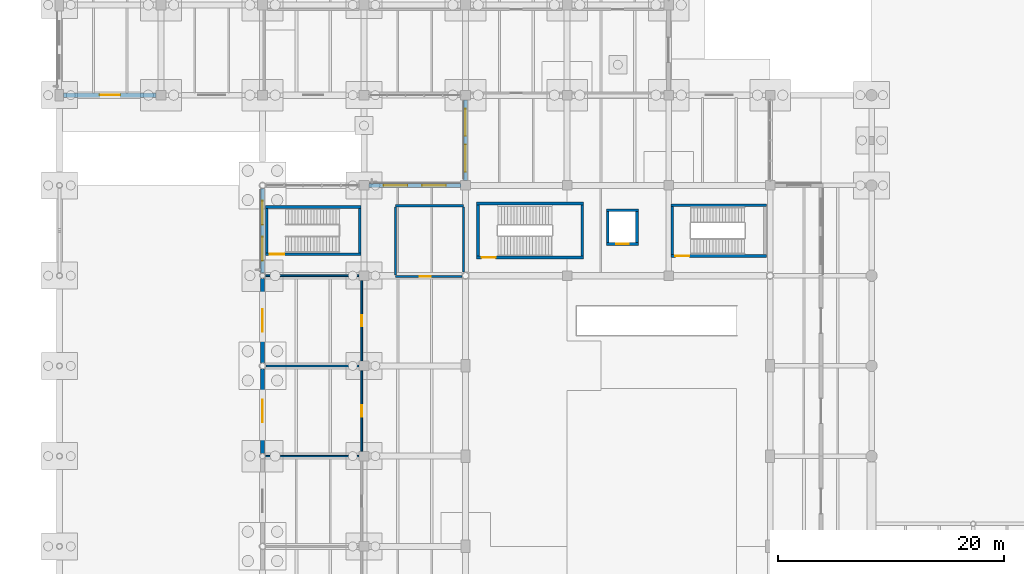
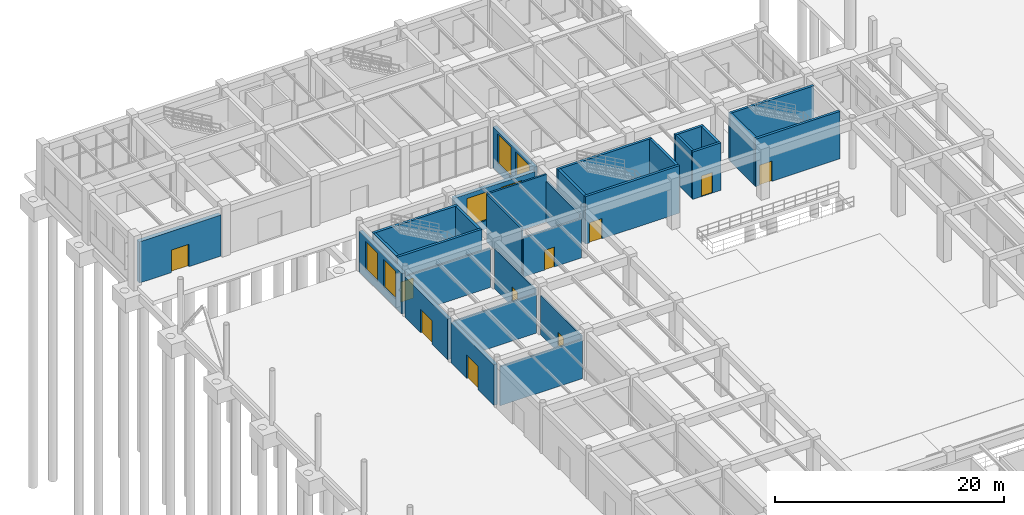
# One storey, part 93 of 121: 30 walls, 10 doors, 6 windows, 16 openings.
"""IFC4 building model written with IfcOpenShell, lengths in metres."""

from ifc_helpers import new_model, si_unit, derived_unit, direction, frame, frame_2d, origin, place, context, subcontext, project, spatial, rectangle, extrude, material, layer, layer_set, type_object, element, fill, save


model = new_model("IFC4")

# Units and contexts
model_context = context("Model", 3, precision=1e-05, world=origin(), true_north=direction((0.0, 1.0)))
body_context = subcontext(model_context, "Body", "Model", "MODEL_VIEW")
ifc_project = project(units=[si_unit("LENGTHUNIT", "METRE"), si_unit("AREAUNIT", "SQUARE_METRE"), si_unit("VOLUMEUNIT", "CUBIC_METRE"), si_unit("PLANEANGLEUNIT", "RADIAN"), si_unit("MASSUNIT", "GRAM", prefix="KILO"), derived_unit("THERMALTRANSMITTANCEUNIT", [(si_unit("MASSUNIT", "GRAM", prefix="KILO"), 1), (si_unit("TIMEUNIT", "SECOND"), -3), (si_unit("THERMODYNAMICTEMPERATUREUNIT", "KELVIN"), -1)])], contexts=[model_context])

# Site, building, storey
site_placement = place(None, origin())
site = spatial("IfcSite", under=ifc_project, at=site_placement, CompositionType="ELEMENT")
building_placement = place(site_placement, origin())
building = spatial("IfcBuilding", under=site, at=building_placement, Name="Zhenchuan Archway Interchange", CompositionType="ELEMENT")
storey_placement = place(building_placement, origin())
storey = spatial("IfcBuildingStorey", under=building, at=storey_placement, Name="L00", CompositionType="ELEMENT", Elevation=0.0)

# Wall, opening, door
ifc_material_1 = material(Name="Granite Stone Cladding", Category="masonry")
ifc_layer_1 = layer(ifc_material_1, 0.419921875)
ifc_layer_set_1 = layer_set([ifc_layer_1], Name="Granite Stone Cladding")
wall_type_1 = type_object("IfcWallType", Name="EW_GRANITE_420", PredefinedType="STANDARD", material=ifc_layer_set_1)
wall_1_placement = place(storey_placement, frame((8.576904296875, 96.0, 0.0), z_axis=(0.0, 0.0, 1.0), x_axis=(-1.0, 0.0, 0.0)))
wall_1 = element("IfcWall", 1, at=wall_1_placement, inside=storey, type_object=wall_type_1, Name="Exterior wall L00-018", PredefinedType="STANDARD", context=body_context, shape_type="SweptSolid", body=[
    extrude(rectangle(XDim=8.203857421875, YDim=0.419921875, at=frame_2d((4.10205078125, 0.0))), origin(), (0.0, 0.0, 1.0), 4.3798828125),
])
opening_1_placement = place(wall_1_placement, frame((3.201904296875, 0.0, 0.0)))
opening_1 = element("IfcOpeningElement", 2, at=opening_1_placement, cuts=wall_1, Name="Opening ED-04", PredefinedType="OPENING", context=body_context, shape_type="SweptSolid", body=[
    extrude(rectangle(XDim=1.800048828125, YDim=2.39990234375, at=frame_2d((0.89990234375, 1.199951171875))), frame((0.0, 0.221923828125, 0.0), z_axis=(0.0, -1.0, 0.0), x_axis=(1.0, 0.0, 0.0)), (0.0, 0.0, 1.0), 0.44384765625),
])
ifc_material_2 = material(Name="Anodised Aluminium", Category="aluminium")
door_type_1 = type_object("IfcDoorType", Name="ED_ENT_1800x2400", OperationType="DOUBLE_DOOR_SINGLE_SWING", PredefinedType="DOOR", material=ifc_material_2)
door_1_placement = place(opening_1_placement, origin())
door_1 = element("IfcDoor", 3, at=door_1_placement, inside=storey, type_object=door_type_1, Name="Exterior entrance door L00-009", OperationType="SINGLE_SWING_LEFT", OverallHeight=2.39990234375, OverallWidth=1.800048828125, PredefinedType="DOOR", context=body_context, shape_type="SweptSolid", body=[
    extrude(rectangle(XDim=1.800048828125, YDim=2.39990234375, at=frame_2d((0.89990234375, 1.199951171875))), frame((0.0, 0.02490234375, 0.0), z_axis=(0.0, -1.0, 0.0), x_axis=(1.0, 0.0, 0.0)), (0.0, 0.0, 1.0), 0.050048828125),
])
fill(opening_1, door_1)

ifc_material_3 = material(Name="Terracotta Masonry", Category="masonry")
ifc_layer_2 = layer(ifc_material_3, 0.360107421875)
ifc_layer_set_2 = layer_set([ifc_layer_2], Name="Terracotta Masonry")
wall_type_2 = type_object("IfcWallType", Name="EW_TERRA_360", PredefinedType="STANDARD", material=ifc_layer_set_2)
wall_2_placement = place(storey_placement, frame((18.0, 64.2509765625, 0.0), z_axis=(0.0, 0.0, 1.0), x_axis=(0.0, 1.0, 0.0)))
wall_2 = element("IfcWall", 4, at=wall_2_placement, inside=storey, type_object=wall_type_2, Name="Exterior wall L00-009", PredefinedType="STANDARD", context=body_context, shape_type="SweptSolid", body=[
    extrude(rectangle(XDim=7.472412109375, YDim=0.360107421875, at=frame_2d((3.736328125, 0.0))), origin(), (0.0, 0.0, 1.0), 4.320068359375),
])
opening_2_placement = place(wall_2_placement, frame((2.736083984375, 0.0, 0.0)))
opening_2 = element("IfcOpeningElement", 5, at=opening_2_placement, cuts=wall_2, Name="Opening ED-03", PredefinedType="OPENING", context=body_context, shape_type="SweptSolid", body=[
    extrude(rectangle(XDim=2.0, YDim=2.5, at=frame_2d((1.0, 1.25))), frame((0.0, 0.19189453125, 0.0), z_axis=(0.0, -1.0, 0.0), x_axis=(1.0, 0.0, 0.0)), (0.0, 0.0, 1.0), 0.384033203125),
])
door_type_2 = type_object("IfcDoorType", Name="ED_BUS_2000x2500", OperationType="SLIDING_TO_LEFT", PredefinedType="DOOR", material=ifc_material_2)
door_2_placement = place(opening_2_placement, origin())
door_2 = element("IfcDoor", 6, at=door_2_placement, inside=storey, type_object=door_type_2, Name="Exterior entrance door L00-005", OperationType="SINGLE_SWING_LEFT", OverallHeight=2.5, OverallWidth=2.0, PredefinedType="DOOR", context=body_context, shape_type="SweptSolid", body=[
    extrude(rectangle(XDim=2.0, YDim=2.5, at=frame_2d((1.0, 1.25))), frame((0.0, 0.02490234375, 0.0), z_axis=(0.0, -1.0, 0.0), x_axis=(1.0, 0.0, 0.0)), (0.0, 0.0, 1.0), 0.050048828125),
])
fill(opening_2, door_2)

wall_3_placement = place(storey_placement, frame((18.0, 72.276611328125, 0.0), z_axis=(0.0, 0.0, 1.0), x_axis=(0.0, 1.0, 0.0)))
wall_3 = element("IfcWall", 7, at=wall_3_placement, inside=storey, type_object=wall_type_2, Name="Exterior wall L00-010", PredefinedType="STANDARD", context=body_context, shape_type="SweptSolid", body=[
    extrude(rectangle(XDim=7.472412109375, YDim=0.360107421875, at=frame_2d((3.736328125, 0.0))), origin(), (0.0, 0.0, 1.0), 4.320068359375),
])
opening_3_placement = place(wall_3_placement, frame((2.736083984375, 0.0, 0.0)))
opening_3 = element("IfcOpeningElement", 8, at=opening_3_placement, cuts=wall_3, Name="Opening ED-03", PredefinedType="OPENING", context=body_context, shape_type="SweptSolid", body=[
    extrude(rectangle(XDim=2.0, YDim=2.5, at=frame_2d((1.0, 1.25))), frame((0.0, 0.19189453125, 0.0), z_axis=(0.0, -1.0, 0.0), x_axis=(1.0, 0.0, 0.0)), (0.0, 0.0, 1.0), 0.384033203125),
])
door_3_placement = place(opening_3_placement, origin())
door_3 = element("IfcDoor", 9, at=door_3_placement, inside=storey, type_object=door_type_2, Name="Exterior entrance door L00-006", OperationType="SINGLE_SWING_LEFT", OverallHeight=2.5, OverallWidth=2.0, PredefinedType="DOOR", context=body_context, shape_type="SweptSolid", body=[
    extrude(rectangle(XDim=2.0, YDim=2.5, at=frame_2d((1.0, 1.25))), frame((0.0, 0.02490234375, 0.0), z_axis=(0.0, -1.0, 0.0), x_axis=(1.0, 0.0, 0.0)), (0.0, 0.0, 1.0), 0.050048828125),
])
fill(opening_3, door_3)

# Wall, openings, windows
wall_4_placement = place(storey_placement, frame((18.0, 80.2509765625, 0.0), z_axis=(0.0, 0.0, 1.0), x_axis=(0.0, 1.0, 0.0)))
wall_4 = element("IfcWall", 10, at=wall_4_placement, inside=storey, type_object=wall_type_2, Name="Exterior wall L00-011", PredefinedType="STANDARD", context=body_context, shape_type="SweptSolid", body=[
    extrude(rectangle(XDim=7.472412109375, YDim=0.360107421875, at=frame_2d((3.736328125, 0.0))), origin(), (0.0, 0.0, 1.0), 4.320068359375),
])
opening_4_placement = place(wall_4_placement, frame((1.0908203125, 0.0, 0.89990234375)))
opening_4 = element("IfcOpeningElement", 11, at=opening_4_placement, cuts=wall_4, Name="Opening W-02", PredefinedType="OPENING", context=body_context, shape_type="SweptSolid", body=[
    extrude(rectangle(XDim=2.10009765625, YDim=3.0, at=frame_2d((1.050048828125, 1.5))), frame((0.0, 0.19189453125, 0.0), z_axis=(0.0, -1.0, 0.0), x_axis=(1.0, 0.0, 0.0)), (0.0, 0.0, 1.0), 0.384033203125),
])
opening_5_placement = place(wall_4_placement, frame((4.28173828125, 0.0, 0.89990234375)))
opening_5 = element("IfcOpeningElement", 12, at=opening_5_placement, cuts=wall_4, Name="Opening W-02", PredefinedType="OPENING", context=body_context, shape_type="SweptSolid", body=[
    extrude(rectangle(XDim=2.10009765625, YDim=3.0, at=frame_2d((1.050048828125, 1.5))), frame((0.0, 0.19189453125, 0.0), z_axis=(0.0, -1.0, 0.0), x_axis=(1.0, 0.0, 0.0)), (0.0, 0.0, 1.0), 0.384033203125),
])
ifc_material_4 = material(Name="Double Low-E Insulated Glazing", Category="glass")
window_type_1 = type_object("IfcWindowType", Name="WN_ARCH_2100x3000", PartitioningType="SINGLE_PANEL", PredefinedType="WINDOW", material=ifc_material_4)
window_1_placement = place(opening_4_placement, origin())
window_1 = element("IfcWindow", 13, at=window_1_placement, inside=storey, type_object=window_type_1, Name="Window L00-0006", OverallHeight=3.0, OverallWidth=2.10009765625, PartitioningType="SINGLE_PANEL", PredefinedType="WINDOW", context=body_context, shape_type="SweptSolid", body=[
    extrude(rectangle(XDim=2.10009765625, YDim=3.0, at=frame_2d((1.050048828125, 1.5))), frame((0.0, 0.030029296875, 0.0), z_axis=(0.0, -1.0, 0.0), x_axis=(1.0, 0.0, 0.0)), (0.0, 0.0, 1.0), 0.06005859375),
])
fill(opening_4, window_1)
window_2_placement = place(opening_5_placement, origin())
window_2 = element("IfcWindow", 14, at=window_2_placement, inside=storey, type_object=window_type_1, Name="Window L00-0007", OverallHeight=3.0, OverallWidth=2.10009765625, PartitioningType="SINGLE_PANEL", PredefinedType="WINDOW", context=body_context, shape_type="SweptSolid", body=[
    extrude(rectangle(XDim=2.10009765625, YDim=3.0, at=frame_2d((1.050048828125, 1.5))), frame((0.0, 0.030029296875, 0.0), z_axis=(0.0, -1.0, 0.0), x_axis=(1.0, 0.0, 0.0)), (0.0, 0.0, 1.0), 0.06005859375),
])
fill(opening_5, window_2)

wall_5_placement = place(storey_placement, frame((27.423095703125, 88.0, 0.0), z_axis=(0.0, 0.0, 1.0), x_axis=(1.0, 0.0, 0.0)))
wall_5 = element("IfcWall", 15, at=wall_5_placement, inside=storey, type_object=wall_type_2, Name="Exterior wall L00-013", PredefinedType="STANDARD", context=body_context, shape_type="SweptSolid", body=[
    extrude(rectangle(XDim=8.15380859375, YDim=0.360107421875, at=frame_2d((4.076904296875, 0.0))), origin(), (0.0, 0.0, 1.0), 4.3798828125),
])
opening_6_placement = place(wall_5_placement, frame((1.318115234375, 0.0, 0.89990234375)))
opening_6 = element("IfcOpeningElement", 16, at=opening_6_placement, cuts=wall_5, Name="Opening W-02", PredefinedType="OPENING", context=body_context, shape_type="SweptSolid", body=[
    extrude(rectangle(XDim=2.10009765625, YDim=3.0, at=frame_2d((1.050048828125, 1.5))), frame((0.0, 0.19189453125, 0.0), z_axis=(0.0, -1.0, 0.0), x_axis=(1.0, 0.0, 0.0)), (0.0, 0.0, 1.0), 0.384033203125),
])
opening_7_placement = place(wall_5_placement, frame((4.736083984375, 0.0, 0.89990234375)))
opening_7 = element("IfcOpeningElement", 17, at=opening_7_placement, cuts=wall_5, Name="Opening W-02", PredefinedType="OPENING", context=body_context, shape_type="SweptSolid", body=[
    extrude(rectangle(XDim=2.10009765625, YDim=3.0, at=frame_2d((1.050048828125, 1.5))), frame((0.0, 0.19189453125, 0.0), z_axis=(0.0, -1.0, 0.0), x_axis=(1.0, 0.0, 0.0)), (0.0, 0.0, 1.0), 0.384033203125),
])
window_3_placement = place(opening_6_placement, origin())
window_3 = element("IfcWindow", 18, at=window_3_placement, inside=storey, type_object=window_type_1, Name="Window L00-0008", OverallHeight=3.0, OverallWidth=2.10009765625, PartitioningType="SINGLE_PANEL", PredefinedType="WINDOW", context=body_context, shape_type="SweptSolid", body=[
    extrude(rectangle(XDim=2.10009765625, YDim=3.0, at=frame_2d((1.050048828125, 1.5))), frame((0.0, 0.030029296875, 0.0), z_axis=(0.0, -1.0, 0.0), x_axis=(1.0, 0.0, 0.0)), (0.0, 0.0, 1.0), 0.06005859375),
])
fill(opening_6, window_3)
window_4_placement = place(opening_7_placement, origin())
window_4 = element("IfcWindow", 19, at=window_4_placement, inside=storey, type_object=window_type_1, Name="Window L00-0009", OverallHeight=3.0, OverallWidth=2.10009765625, PartitioningType="SINGLE_PANEL", PredefinedType="WINDOW", context=body_context, shape_type="SweptSolid", body=[
    extrude(rectangle(XDim=2.10009765625, YDim=3.0, at=frame_2d((1.050048828125, 1.5))), frame((0.0, 0.030029296875, 0.0), z_axis=(0.0, -1.0, 0.0), x_axis=(1.0, 0.0, 0.0)), (0.0, 0.0, 1.0), 0.06005859375),
])
fill(opening_7, window_4)

wall_6_placement = place(storey_placement, frame((36.0, 88.423095703125, 0.0), z_axis=(0.0, 0.0, 1.0), x_axis=(0.0, 1.0, 0.0)))
wall_6 = element("IfcWall", 20, at=wall_6_placement, inside=storey, type_object=wall_type_2, Name="Exterior wall L00-014", PredefinedType="STANDARD", context=body_context, shape_type="SweptSolid", body=[
    extrude(rectangle(XDim=7.15380859375, YDim=0.360107421875, at=frame_2d((3.576904296875, 0.0))), origin(), (0.0, 0.0, 1.0), 4.3798828125),
])
opening_8_placement = place(wall_6_placement, frame((0.78466796875, 0.0, 0.89990234375)))
opening_8 = element("IfcOpeningElement", 21, at=opening_8_placement, cuts=wall_6, Name="Opening W-01", PredefinedType="OPENING", context=body_context, shape_type="SweptSolid", body=[
    extrude(rectangle(XDim=2.39990234375, YDim=3.199951171875, at=frame_2d((1.199951171875, 1.60009765625))), frame((0.0, 0.19189453125, 0.0), z_axis=(0.0, -1.0, 0.0), x_axis=(1.0, 0.0, 0.0)), (0.0, 0.0, 1.0), 0.384033203125),
])
opening_9_placement = place(wall_6_placement, frame((3.96923828125, 0.0, 0.89990234375)))
opening_9 = element("IfcOpeningElement", 22, at=opening_9_placement, cuts=wall_6, Name="Opening W-01", PredefinedType="OPENING", context=body_context, shape_type="SweptSolid", body=[
    extrude(rectangle(XDim=2.39990234375, YDim=3.199951171875, at=frame_2d((1.199951171875, 1.60009765625))), frame((0.0, 0.19189453125, 0.0), z_axis=(0.0, -1.0, 0.0), x_axis=(1.0, 0.0, 0.0)), (0.0, 0.0, 1.0), 0.384033203125),
])
window_type_2 = type_object("IfcWindowType", Name="WN_ARCH_2400x3200", PartitioningType="SINGLE_PANEL", PredefinedType="WINDOW", material=ifc_material_4)
window_5_placement = place(opening_8_placement, origin())
window_5 = element("IfcWindow", 23, at=window_5_placement, inside=storey, type_object=window_type_2, Name="Window L00-0010", OverallHeight=3.199951171875, OverallWidth=2.39990234375, PartitioningType="SINGLE_PANEL", PredefinedType="WINDOW", context=body_context, shape_type="SweptSolid", body=[
    extrude(rectangle(XDim=2.39990234375, YDim=3.199951171875, at=frame_2d((1.199951171875, 1.60009765625))), frame((0.0, 0.030029296875, 0.0), z_axis=(0.0, -1.0, 0.0), x_axis=(1.0, 0.0, 0.0)), (0.0, 0.0, 1.0), 0.06005859375),
])
fill(opening_8, window_5)
window_6_placement = place(opening_9_placement, origin())
window_6 = element("IfcWindow", 24, at=window_6_placement, inside=storey, type_object=window_type_2, Name="Window L00-0011", OverallHeight=3.199951171875, OverallWidth=2.39990234375, PartitioningType="SINGLE_PANEL", PredefinedType="WINDOW", context=body_context, shape_type="SweptSolid", body=[
    extrude(rectangle(XDim=2.39990234375, YDim=3.199951171875, at=frame_2d((1.199951171875, 1.60009765625))), frame((0.0, 0.030029296875, 0.0), z_axis=(0.0, -1.0, 0.0), x_axis=(1.0, 0.0, 0.0)), (0.0, 0.0, 1.0), 0.06005859375),
])
fill(opening_9, window_6)

# Wall, opening, door
ifc_material_5 = material(Name="Concrete C40", Category="concrete")
ifc_layer_3 = layer(ifc_material_5, 0.239990234375)
ifc_layer_set_3 = layer_set([ifc_layer_3], Name="Concrete C40")
wall_type_3 = type_object("IfcWallType", Name="WL_LIFT_240", PredefinedType="SHEAR", material=ifc_layer_set_3)
wall_7_placement = place(storey_placement, frame((48.47998046875, 82.800048828125, 0.0), z_axis=(0.0, 0.0, 1.0), x_axis=(1.0, 0.0, 0.0)))
wall_7 = element("IfcWall", 25, at=wall_7_placement, inside=storey, type_object=wall_type_3, Name="Lift LF-02 south shaft wall (L00)", PredefinedType="SHEAR", context=body_context, shape_type="SweptSolid", body=[
    extrude(rectangle(XDim=2.840087890625, YDim=0.239990234375, at=frame_2d((1.419921875, 0.0))), origin(), (0.0, 0.0, 1.0), 5.050048828125),
])
opening_10_placement = place(wall_7_placement, frame((0.8701171875, 0.0, 0.0)))
opening_10 = element("IfcOpeningElement", 26, at=opening_10_placement, cuts=wall_7, Name="Opening LD-01", PredefinedType="OPENING", context=body_context, shape_type="SweptSolid", body=[
    extrude(rectangle(XDim=1.10009765625, YDim=2.199951171875, at=frame_2d((0.550048828125, 1.10009765625))), frame((0.0, 0.1318359375, 0.0), z_axis=(0.0, -1.0, 0.0), x_axis=(1.0, 0.0, 0.0)), (0.0, 0.0, 1.0), 0.263916015625),
])
ifc_material_6 = material(Name="Stainless Steel 304", Category="steel")
door_type_3 = type_object("IfcDoorType", Name="DR_LIFT_LD110", OperationType="DOUBLE_DOOR_SLIDING", PredefinedType="DOOR", material=ifc_material_6)
door_4_placement = place(opening_10_placement, origin())
door_4 = element("IfcDoor", 27, at=door_4_placement, inside=storey, type_object=door_type_3, Name="Lift LF-02 landing door (L00)", OperationType="DOUBLE_DOOR_SLIDING", OverallHeight=2.199951171875, OverallWidth=1.10009765625, PredefinedType="DOOR", context=body_context, shape_type="SweptSolid", body=[
    extrude(rectangle(XDim=1.10009765625, YDim=2.199951171875, at=frame_2d((0.550048828125, 1.10009765625))), frame((0.0, 0.02490234375, 0.0), z_axis=(0.0, -1.0, 0.0), x_axis=(1.0, 0.0, 0.0)), (0.0, 0.0, 1.0), 0.050048828125),
])
fill(opening_10, door_4)

# Walls
wall_8_placement = place(storey_placement, frame((51.320068359375, 85.800048828125, 0.0), z_axis=(0.0, 0.0, 1.0), x_axis=(-1.0, 0.0, 0.0)))
element("IfcWall", 28, at=wall_8_placement, inside=storey, type_object=wall_type_3, Name="Lift LF-02 north shaft wall (L00)", PredefinedType="SHEAR", context=body_context, shape_type="SweptSolid", body=[
    extrude(rectangle(XDim=2.840087890625, YDim=0.239990234375, at=frame_2d((1.419921875, 0.0))), origin(), (0.0, 0.0, 1.0), 5.050048828125),
])
for number, where, z_axis, x_axis, name in (
    (29, (48.60009765625, 85.679931640625, 0.0), (0.0, 0.0, 1.0), (0.0, -1.0, 0.0), "Lift LF-02 west shaft wall (L00)"),
    (30, (51.199951171875, 82.919921875, 0.0), (0.0, 0.0, 1.0), (0.0, 1.0, 0.0), "Lift LF-02 east shaft wall (L00)"),
):
    element("IfcWall", number, at=place(storey_placement, frame(where, z_axis=z_axis, x_axis=x_axis)), inside=storey, type_object=wall_type_3, Name=name, PredefinedType="SHEAR", context=body_context, shape_type="SweptSolid", body=[
        extrude(rectangle(XDim=2.760009765625, YDim=0.239990234375, at=frame_2d((1.3798828125, 0.0))), origin(), (0.0, 0.0, 1.0), 5.050048828125),
    ])
ifc_material_7 = material(Name="Gypsum Plasterboard", Category="gypsum")
ifc_layer_4 = layer(ifc_material_7, 0.14990234375)
ifc_layer_set_4 = layer_set([ifc_layer_4], Name="Gypsum Plasterboard")
wall_type_4 = type_object("IfcWallType", Name="WL_PART_150", PredefinedType="STANDARD", material=ifc_layer_set_4)
wall_9_placement = place(storey_placement, frame((18.279052734375, 64.0, 0.0), z_axis=(0.0, 0.0, 1.0), x_axis=(1.0, 0.0, 0.0)))
element("IfcWall", 31, at=wall_9_placement, inside=storey, type_object=wall_type_4, Name="Bus Bay 04 Boarding Gate N partition (L00)", PredefinedType="STANDARD", context=body_context, shape_type="SweptSolid", body=[
    extrude(rectangle(XDim=8.27099609375, YDim=0.14990234375, at=frame_2d((4.135498046875, 0.0))), origin(), (0.0, 0.0, 1.0), 4.169921875),
])
wall_10_placement = place(storey_placement, frame((18.304443359375, 72.0, 0.0), z_axis=(0.0, 0.0, 1.0), x_axis=(1.0, 0.0, 0.0)))
element("IfcWall", 32, at=wall_10_placement, inside=storey, type_object=wall_type_4, Name="Bus Bay 05 Boarding Gate N partition (L00)", PredefinedType="STANDARD", context=body_context, shape_type="SweptSolid", body=[
    extrude(rectangle(XDim=8.24560546875, YDim=0.14990234375, at=frame_2d((4.122802734375, 0.0))), origin(), (0.0, 0.0, 1.0), 4.169921875),
])

# Wall, opening, door
wall_11_placement = place(storey_placement, frame((26.800048828125, 64.449951171875, 0.0), z_axis=(0.0, 0.0, 1.0), x_axis=(0.0, 1.0, 0.0)))
wall_11 = element("IfcWall", 33, at=wall_11_placement, inside=storey, type_object=wall_type_4, Name="Bus Bay 05 Boarding Gate E partition (L00)", PredefinedType="STANDARD", context=body_context, shape_type="SweptSolid", body=[
    extrude(rectangle(XDim=7.10009765625, YDim=0.14990234375, at=frame_2d((3.550048828125, 0.0))), origin(), (0.0, 0.0, 1.0), 4.169921875),
])
opening_11_placement = place(wall_11_placement, frame((3.050048828125, 0.0, 0.0)))
opening_11 = element("IfcOpeningElement", 34, at=opening_11_placement, cuts=wall_11, Name="Opening ID-02", PredefinedType="OPENING", context=body_context, shape_type="SweptSolid", body=[
    extrude(rectangle(XDim=1.0, YDim=2.10009765625, at=frame_2d((0.5, 1.050048828125))), frame((0.0, 0.0869140625, 0.0), z_axis=(0.0, -1.0, 0.0), x_axis=(1.0, 0.0, 0.0)), (0.0, 0.0, 1.0), 0.173828125),
])
ifc_material_8 = material(Name="Hardwood Timber", Category="wood")
door_type_4 = type_object("IfcDoorType", Name="DR_OPS_100", OperationType="NOTDEFINED", PredefinedType="DOOR", material=ifc_material_8)
door_5_placement = place(opening_11_placement, origin())
door_5 = element("IfcDoor", 35, at=door_5_placement, inside=storey, type_object=door_type_4, Name="Bus Bay 05 Boarding Gate door (L00)", OperationType="SINGLE_SWING_LEFT", OverallHeight=2.10009765625, OverallWidth=1.0, PredefinedType="DOOR", context=body_context, shape_type="SweptSolid", body=[
    extrude(rectangle(XDim=1.0, YDim=2.10009765625, at=frame_2d((0.5, 1.050048828125))), frame((0.0, 0.02490234375, 0.0), z_axis=(0.0, -1.0, 0.0), x_axis=(1.0, 0.0, 0.0)), (0.0, 0.0, 1.0), 0.050048828125),
])
fill(opening_11, door_5)

# Wall
wall_12_placement = place(storey_placement, frame((18.279052734375, 80.0, 0.0), z_axis=(0.0, 0.0, 1.0), x_axis=(1.0, 0.0, 0.0)))
element("IfcWall", 36, at=wall_12_placement, inside=storey, type_object=wall_type_4, Name="Bus Bay 06 Boarding Gate N partition (L00)", PredefinedType="STANDARD", context=body_context, shape_type="SweptSolid", body=[
    extrude(rectangle(XDim=8.27099609375, YDim=0.14990234375, at=frame_2d((4.135498046875, 0.0))), origin(), (0.0, 0.0, 1.0), 4.169921875),
])

# Wall, opening, door
wall_13_placement = place(storey_placement, frame((26.800048828125, 72.449951171875, 0.0), z_axis=(0.0, 0.0, 1.0), x_axis=(0.0, 1.0, 0.0)))
wall_13 = element("IfcWall", 37, at=wall_13_placement, inside=storey, type_object=wall_type_4, Name="Bus Bay 06 Boarding Gate E partition (L00)", PredefinedType="STANDARD", context=body_context, shape_type="SweptSolid", body=[
    extrude(rectangle(XDim=7.10009765625, YDim=0.14990234375, at=frame_2d((3.550048828125, 0.0))), origin(), (0.0, 0.0, 1.0), 4.27001953125),
])
opening_12_placement = place(wall_13_placement, frame((3.050048828125, 0.0, 0.0)))
opening_12 = element("IfcOpeningElement", 38, at=opening_12_placement, cuts=wall_13, Name="Opening ID-02", PredefinedType="OPENING", context=body_context, shape_type="SweptSolid", body=[
    extrude(rectangle(XDim=1.0, YDim=2.10009765625, at=frame_2d((0.5, 1.050048828125))), frame((0.0, 0.0869140625, 0.0), z_axis=(0.0, -1.0, 0.0), x_axis=(1.0, 0.0, 0.0)), (0.0, 0.0, 1.0), 0.173828125),
])
door_6_placement = place(opening_12_placement, origin())
door_6 = element("IfcDoor", 39, at=door_6_placement, inside=storey, type_object=door_type_4, Name="Bus Bay 06 Boarding Gate door (L00)", OperationType="SINGLE_SWING_RIGHT", OverallHeight=2.10009765625, OverallWidth=1.0, PredefinedType="DOOR", context=body_context, shape_type="SweptSolid", body=[
    extrude(rectangle(XDim=1.0, YDim=2.10009765625, at=frame_2d((0.5, 1.050048828125))), frame((0.0, 0.02490234375, 0.0), z_axis=(0.0, -1.0, 0.0), x_axis=(1.0, 0.0, 0.0)), (0.0, 0.0, 1.0), 0.050048828125),
])
fill(opening_12, door_6)

ifc_material_9 = material(Name="Concrete Block Masonry", Category="masonry")
ifc_layer_5 = layer(ifc_material_9, 0.179931640625)
ifc_layer_set_5 = layer_set([ifc_layer_5], Name="Concrete Block Masonry")
wall_type_5 = type_object("IfcWallType", Name="WL_PART_180", PredefinedType="STANDARD", material=ifc_layer_set_5)
wall_14_placement = place(storey_placement, frame((29.800048828125, 79.93994140625, 0.0), z_axis=(0.0, 0.0, 1.0), x_axis=(1.0, 0.0, 0.0)))
wall_14 = element("IfcWall", 40, at=wall_14_placement, inside=storey, type_object=wall_type_5, Name="Metro Mobility Assistance Lounge S partition (L00)", PredefinedType="STANDARD", context=body_context, shape_type="SweptSolid", body=[
    extrude(rectangle(XDim=5.869873046875, YDim=0.179931640625, at=frame_2d((2.93505859375, 0.0))), origin(), (0.0, 0.0, 1.0), 4.179931640625),
])
opening_13_placement = place(wall_14_placement, frame((2.13720703125, 0.0, 0.0)))
opening_13 = element("IfcOpeningElement", 41, at=opening_13_placement, cuts=wall_14, Name="Opening ID-02", PredefinedType="OPENING", context=body_context, shape_type="SweptSolid", body=[
    extrude(rectangle(XDim=1.0, YDim=2.10009765625, at=frame_2d((0.5, 1.050048828125))), frame((0.0, 0.10205078125, 0.0), z_axis=(0.0, -1.0, 0.0), x_axis=(1.0, 0.0, 0.0)), (0.0, 0.0, 1.0), 0.203857421875),
])
door_7_placement = place(opening_13_placement, origin())
door_7 = element("IfcDoor", 42, at=door_7_placement, inside=storey, type_object=door_type_4, Name="Metro Mobility Assistance Lounge door (L00)", OperationType="SINGLE_SWING_LEFT", OverallHeight=2.10009765625, OverallWidth=1.0, PredefinedType="DOOR", context=body_context, shape_type="SweptSolid", body=[
    extrude(rectangle(XDim=1.0, YDim=2.10009765625, at=frame_2d((0.5, 1.050048828125))), frame((0.0, 0.02490234375, 0.0), z_axis=(0.0, -1.0, 0.0), x_axis=(1.0, 0.0, 0.0)), (0.0, 0.0, 1.0), 0.050048828125),
])
fill(opening_13, door_7)

# Walls
wall_15_placement = place(storey_placement, frame((29.800048828125, 86.199951171875, 0.0), z_axis=(0.0, 0.0, 1.0), x_axis=(1.0, 0.0, 0.0)))
element("IfcWall", 43, at=wall_15_placement, inside=storey, type_object=wall_type_5, Name="Metro Mobility Assistance Lounge N partition (L00)", PredefinedType="STANDARD", context=body_context, shape_type="SweptSolid", body=[
    extrude(rectangle(XDim=6.0, YDim=0.179931640625, at=frame_2d((3.0, 0.0))), origin(), (0.0, 0.0, 1.0), 5.050048828125),
])
wall_16_placement = place(storey_placement, frame((29.800048828125, 80.0400390625, 0.0), z_axis=(0.0, 0.0, 1.0), x_axis=(0.0, 1.0, 0.0)))
element("IfcWall", 44, at=wall_16_placement, inside=storey, type_object=wall_type_5, Name="Metro Mobility Assistance Lounge W partition (L00)", PredefinedType="STANDARD", context=body_context, shape_type="SweptSolid", body=[
    extrude(rectangle(XDim=6.06005859375, YDim=0.179931640625, at=frame_2d((3.030029296875, 0.0))), origin(), (0.0, 0.0, 1.0), 5.050048828125),
])
wall_17_placement = place(storey_placement, frame((35.800048828125, 80.330078125, 0.0), z_axis=(0.0, 0.0, 1.0), x_axis=(0.0, 1.0, 0.0)))
element("IfcWall", 45, at=wall_17_placement, inside=storey, type_object=wall_type_5, Name="Metro Mobility Assistance Lounge E partition (L00)", PredefinedType="STANDARD", context=body_context, shape_type="SweptSolid", body=[
    extrude(rectangle(XDim=5.77001953125, YDim=0.179931640625, at=frame_2d((2.885009765625, 0.0))), origin(), (0.0, 0.0, 1.0), 4.330078125),
])

# Wall, opening, door
ifc_layer_6 = layer(ifc_material_5, 0.25)
ifc_layer_set_6 = layer_set([ifc_layer_6], Name="Concrete C40")
wall_type_6 = type_object("IfcWallType", Name="WL_STAIR_250", PredefinedType="SHEAR", material=ifc_layer_set_6)
wall_18_placement = place(storey_placement, frame((36.97509765625, 81.60009765625, 0.0), z_axis=(0.0, 0.0, 1.0), x_axis=(1.0, 0.0, 0.0)))
wall_18 = element("IfcWall", 46, at=wall_18_placement, inside=storey, type_object=wall_type_6, Name="Stair ST-M2 south wall (L00)", PredefinedType="SHEAR", context=body_context, shape_type="SweptSolid", body=[
    extrude(rectangle(XDim=9.5, YDim=0.25, at=frame_2d((4.75, 0.0))), origin(), (0.0, 0.0, 1.0), 5.050048828125),
])
opening_14_placement = place(wall_18_placement, frame((0.445068359375, 0.0, 0.0)))
opening_14 = element("IfcOpeningElement", 47, at=opening_14_placement, cuts=wall_18, Name="Opening FD-01", PredefinedType="OPENING", context=body_context, shape_type="SweptSolid", body=[
    extrude(rectangle(XDim=1.25, YDim=2.14990234375, at=frame_2d((0.625, 1.074951171875))), frame((0.0, 0.136962890625, 0.0), z_axis=(0.0, -1.0, 0.0), x_axis=(1.0, 0.0, 0.0)), (0.0, 0.0, 1.0), 0.27392578125),
])
ifc_material_10 = material(Name="Painted Galvanised Steel", Category="steel")
door_type_5 = type_object("IfcDoorType", Name="DR_STAIR_FD90", OperationType="NOTDEFINED", PredefinedType="DOOR", material=ifc_material_10)
door_8_placement = place(opening_14_placement, frame((1.25, 0.0, 0.0), z_axis=(0.0, 0.0, 1.0), x_axis=(-1.0, 0.0, 0.0)))
door_8 = element("IfcDoor", 48, at=door_8_placement, inside=storey, type_object=door_type_5, Name="Stair ST-M2 fire door (L00)", OperationType="SINGLE_SWING_RIGHT", OverallHeight=2.14990234375, OverallWidth=1.25, PredefinedType="DOOR", context=body_context, shape_type="SweptSolid", body=[
    extrude(rectangle(XDim=1.25, YDim=2.14990234375, at=frame_2d((0.625, 1.074951171875))), frame((0.0, 0.02490234375, 0.0), z_axis=(0.0, -1.0, 0.0), x_axis=(1.0, 0.0, 0.0)), (0.0, 0.0, 1.0), 0.050048828125),
])
fill(opening_14, door_8)

# Walls
wall_19_placement = place(storey_placement, frame((46.47509765625, 86.39990234375, 0.0), z_axis=(0.0, 0.0, 1.0), x_axis=(-1.0, 0.0, 0.0)))
element("IfcWall", 49, at=wall_19_placement, inside=storey, type_object=wall_type_6, Name="Stair ST-M2 north wall (L00)", PredefinedType="SHEAR", context=body_context, shape_type="SweptSolid", body=[
    extrude(rectangle(XDim=9.5, YDim=0.25, at=frame_2d((4.75, 0.0))), origin(), (0.0, 0.0, 1.0), 5.050048828125),
])
for number, where, z_axis, x_axis, name in (
    (50, (37.10009765625, 86.27490234375, 0.0), (0.0, 0.0, 1.0), (0.0, -1.0, 0.0), "Stair ST-M2 west wall (L00)"),
    (51, (46.35009765625, 81.72509765625, 0.0), (0.0, 0.0, 1.0), (0.0, 1.0, 0.0), "Stair ST-M2 east wall (L00)"),
):
    element("IfcWall", number, at=place(storey_placement, frame(where, z_axis=z_axis, x_axis=x_axis)), inside=storey, type_object=wall_type_6, Name=name, PredefinedType="SHEAR", context=body_context, shape_type="SweptSolid", body=[
        extrude(rectangle(XDim=4.5498046875, YDim=0.25, at=frame_2d((2.27490234375, 0.0))), origin(), (0.0, 0.0, 1.0), 5.050048828125),
    ])

# Wall, opening, door
wall_20_placement = place(storey_placement, frame((54.195068359375, 81.75, 0.0), z_axis=(0.0, 0.0, 1.0), x_axis=(1.0, 0.0, 0.0)))
wall_20 = element("IfcWall", 52, at=wall_20_placement, inside=storey, type_object=wall_type_6, Name="Stair ST-M4 south wall (L00)", PredefinedType="SHEAR", context=body_context, shape_type="SweptSolid", body=[
    extrude(rectangle(XDim=8.489990234375, YDim=0.25, at=frame_2d((4.2451171875, 0.0))), origin(), (0.0, 0.0, 1.0), 5.050048828125),
])
opening_15_placement = place(wall_20_placement, frame((0.405029296875, 0.0, 0.0)))
opening_15 = element("IfcOpeningElement", 53, at=opening_15_placement, cuts=wall_20, Name="Opening FD-01", PredefinedType="OPENING", context=body_context, shape_type="SweptSolid", body=[
    extrude(rectangle(XDim=1.25, YDim=2.14990234375, at=frame_2d((0.625, 1.074951171875))), frame((0.0, 0.136962890625, 0.0), z_axis=(0.0, -1.0, 0.0), x_axis=(1.0, 0.0, 0.0)), (0.0, 0.0, 1.0), 0.27392578125),
])
door_9_placement = place(opening_15_placement, frame((1.25, 0.0, 0.0), z_axis=(0.0, 0.0, 1.0), x_axis=(-1.0, 0.0, 0.0)))
door_9 = element("IfcDoor", 54, at=door_9_placement, inside=storey, type_object=door_type_5, Name="Stair ST-M4 fire door (L00)", OperationType="SINGLE_SWING_RIGHT", OverallHeight=2.14990234375, OverallWidth=1.25, PredefinedType="DOOR", context=body_context, shape_type="SweptSolid", body=[
    extrude(rectangle(XDim=1.25, YDim=2.14990234375, at=frame_2d((0.625, 1.074951171875))), frame((0.0, 0.02490234375, 0.0), z_axis=(0.0, -1.0, 0.0), x_axis=(1.0, 0.0, 0.0)), (0.0, 0.0, 1.0), 0.050048828125),
])
fill(opening_15, door_9)

# Walls
wall_21_placement = place(storey_placement, frame((62.68505859375, 86.25, 0.0), z_axis=(0.0, 0.0, 1.0), x_axis=(-1.0, 0.0, 0.0)))
element("IfcWall", 55, at=wall_21_placement, inside=storey, type_object=wall_type_6, Name="Stair ST-M4 north wall (L00)", PredefinedType="SHEAR", context=body_context, shape_type="SweptSolid", body=[
    extrude(rectangle(XDim=8.489990234375, YDim=0.25, at=frame_2d((4.2451171875, 0.0))), origin(), (0.0, 0.0, 1.0), 5.050048828125),
])
wall_22_placement = place(storey_placement, frame((54.320068359375, 86.125, 0.0), z_axis=(0.0, 0.0, 1.0), x_axis=(0.0, -1.0, 0.0)))
element("IfcWall", 56, at=wall_22_placement, inside=storey, type_object=wall_type_6, Name="Stair ST-M4 west wall (L00)", PredefinedType="SHEAR", context=body_context, shape_type="SweptSolid", body=[
    extrude(rectangle(XDim=4.25, YDim=0.25, at=frame_2d((2.125, 0.0))), origin(), (0.0, 0.0, 1.0), 5.050048828125),
])

# Wall, opening, door
wall_23_placement = place(storey_placement, frame((18.2548828125, 81.89990234375, 0.0), z_axis=(0.0, 0.0, 1.0), x_axis=(1.0, 0.0, 0.0)))
wall_23 = element("IfcWall", 57, at=wall_23_placement, inside=storey, type_object=wall_type_6, Name="Stair ST-B2 south wall (L00)", PredefinedType="SHEAR", context=body_context, shape_type="SweptSolid", body=[
    extrude(rectangle(XDim=8.490234375, YDim=0.25, at=frame_2d((4.2451171875, 0.0))), origin(), (0.0, 0.0, 1.0), 4.989990234375),
])
opening_16_placement = place(wall_23_placement, frame((0.405029296875, 0.0, 0.0)))
opening_16 = element("IfcOpeningElement", 58, at=opening_16_placement, cuts=wall_23, Name="Opening FD-01", PredefinedType="OPENING", context=body_context, shape_type="SweptSolid", body=[
    extrude(rectangle(XDim=1.25, YDim=2.14990234375, at=frame_2d((0.625, 1.074951171875))), frame((0.0, 0.136962890625, 0.0), z_axis=(0.0, -1.0, 0.0), x_axis=(1.0, 0.0, 0.0)), (0.0, 0.0, 1.0), 0.27392578125),
])
door_10_placement = place(opening_16_placement, frame((1.25, 0.0, 0.0), z_axis=(0.0, 0.0, 1.0), x_axis=(-1.0, 0.0, 0.0)))
door_10 = element("IfcDoor", 59, at=door_10_placement, inside=storey, type_object=door_type_5, Name="Stair ST-B2 fire door (L00)", OperationType="SINGLE_SWING_RIGHT", OverallHeight=2.14990234375, OverallWidth=1.25, PredefinedType="DOOR", context=body_context, shape_type="SweptSolid", body=[
    extrude(rectangle(XDim=1.25, YDim=2.14990234375, at=frame_2d((0.625, 1.074951171875))), frame((0.0, 0.02490234375, 0.0), z_axis=(0.0, -1.0, 0.0), x_axis=(1.0, 0.0, 0.0)), (0.0, 0.0, 1.0), 0.050048828125),
])
fill(opening_16, door_10)

# Walls
wall_24_placement = place(storey_placement, frame((26.7451171875, 86.10009765625, 0.0), z_axis=(0.0, 0.0, 1.0), x_axis=(-1.0, 0.0, 0.0)))
element("IfcWall", 60, at=wall_24_placement, inside=storey, type_object=wall_type_6, Name="Stair ST-B2 north wall (L00)", PredefinedType="SHEAR", context=body_context, shape_type="SweptSolid", body=[
    extrude(rectangle(XDim=8.490234375, YDim=0.25, at=frame_2d((4.2451171875, 0.0))), origin(), (0.0, 0.0, 1.0), 4.989990234375),
])
for number, where, z_axis, x_axis, name in (
    (61, (18.3798828125, 85.97509765625, 0.0), (0.0, 0.0, 1.0), (0.0, -1.0, 0.0), "Stair ST-B2 west wall (L00)"),
    (62, (26.6201171875, 82.02490234375, 0.0), (0.0, 0.0, 1.0), (0.0, 1.0, 0.0), "Stair ST-B2 east wall (L00)"),
):
    element("IfcWall", number, at=place(storey_placement, frame(where, z_axis=z_axis, x_axis=x_axis)), inside=storey, type_object=wall_type_6, Name=name, PredefinedType="SHEAR", context=body_context, shape_type="SweptSolid", body=[
        extrude(rectangle(XDim=3.9501953125, YDim=0.25, at=frame_2d((1.97509765625, 0.0))), origin(), (0.0, 0.0, 1.0), 4.989990234375),
    ])

save(model, "model.ifc")
